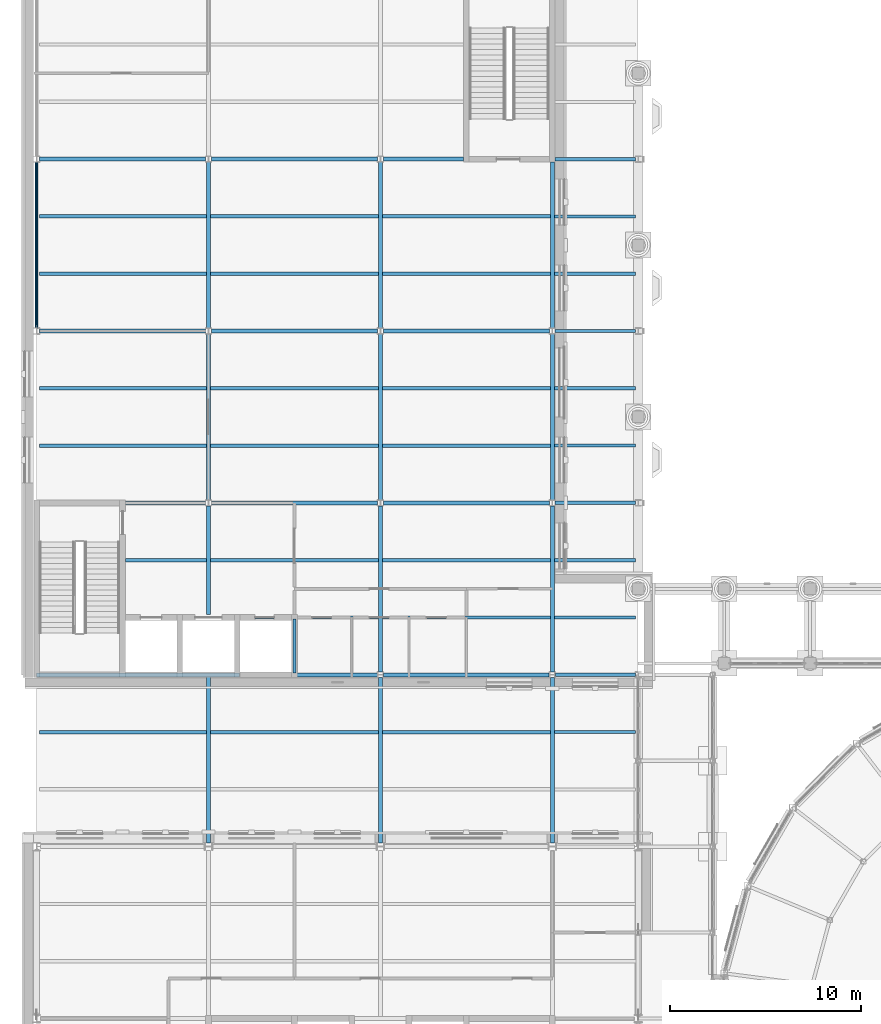
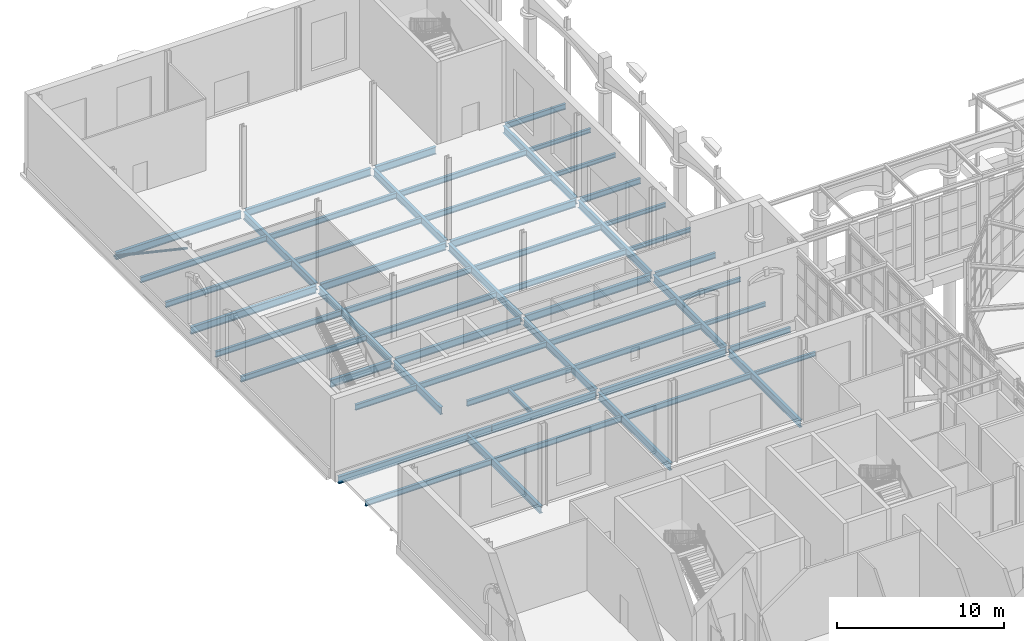
# One storey, part 32 of 106: 56 beams, 1 member.
"""IFC4 building model written with IfcOpenShell, lengths in metres."""

from ifc_helpers import new_model, si_unit, direction, frame, origin, origin_2d, place, context, subcontext, project, spatial, hollow_circle, i_section, extrude, material, material_profile, profile_set, type_object, element, save


model = new_model("IFC4")

# Units and contexts
model_context = context("Model", 3, precision=1e-05, world=origin(), true_north=direction((0.0, 1.0)))
body_context = subcontext(model_context, "Body", "Model", "MODEL_VIEW")
ifc_project = project(units=[si_unit("LENGTHUNIT", "METRE"), si_unit("AREAUNIT", "SQUARE_METRE"), si_unit("VOLUMEUNIT", "CUBIC_METRE"), si_unit("PLANEANGLEUNIT", "RADIAN"), si_unit("MASSUNIT", "GRAM", prefix="KILO")], contexts=[model_context])

# Site, building, storey
site_placement = place(None, origin())
site = spatial("IfcSite", under=ifc_project, at=site_placement, CompositionType="ELEMENT")
building_placement = place(site_placement, origin())
building = spatial("IfcBuilding", under=site, at=building_placement, Name="Hortulan Conservatory and Botanical Research Centre", CompositionType="ELEMENT")
storey_placement = place(building_placement, origin())
storey = spatial("IfcBuildingStorey", under=building, at=storey_placement, Name="L00", CompositionType="ELEMENT", Elevation=0.0)

# Member
ifc_material_1 = material(Name="Steel Grade C350L0 (350 MPa, AS/NZS 1163)", Category="steel")
ifc_material_profile_1 = material_profile(ifc_material_1, hollow_circle(Radius=0.084228515625, WallThickness=0.00634765625, at=origin_2d()), Name="168.3x6.4CHS")
ifc_profile_set_1 = profile_set([ifc_material_profile_1], Name="Steel Grade C350L0 (350 MPa, AS/NZS 1163)")
member_type = type_object("IfcMemberType", Name="Brace 168.3x6.4CHS", PredefinedType="BRACE", material=ifc_profile_set_1)
member_placement = place(storey_placement, frame((0.0, 62.839599609375, -0.342041015625), z_axis=(0.0, -0.829662167286, 0.558265786319), x_axis=(1.0, 0.0, 0.0)))
element("IfcMember", 1, at=member_placement, inside=storey, type_object=member_type, Name="168.3x6.4CHS brace", PredefinedType="BRACE", context=body_context, shape_type="SweptSolid", body=[
    extrude(hollow_circle(Radius=0.084228515625, WallThickness=0.00634765625, at=origin_2d()), origin(), (0.0, 0.0, 1.0), 10.461181640625),
])

# Beams
ifc_material_2 = material(Name="Steel Grade 300PLUS (AS/NZS 3679.1, 280 MPa minimum yield)", Category="steel")
ifc_material_profile_2 = material_profile(ifc_material_2, i_section(OverallWidth=0.177978515625, OverallDepth=0.403076171875, WebThickness=0.007568359375, FlangeThickness=0.010986328125, FilletRadius=0.011474609375, at=origin_2d()), Name="410UB53.7")
ifc_profile_set_2 = profile_set([ifc_material_profile_2], Name="Steel Grade 300PLUS (AS/NZS 3679.1, 280 MPa minimum yield)")
beam_type_1 = type_object("IfcBeamType", Name="Primary Beam 410UB53.7", PredefinedType="BEAM", material=ifc_profile_set_2)
beam_1_placement = place(storey_placement, frame((27.160400390625, 36.0, -0.401611328125), z_axis=(1.0, 0.0, 0.0), x_axis=(0.0, 1.0, 0.0)))
element("IfcBeam", 2, at=beam_1_placement, inside=storey, type_object=beam_type_1, Name="410UB53.7 girder", PredefinedType="BEAM", context=body_context, shape_type="SweptSolid", body=[
    extrude(i_section(OverallWidth=0.177978515625, OverallDepth=0.403076171875, WebThickness=0.007568359375, FlangeThickness=0.010986328125, FilletRadius=0.011474609375, at=origin_2d()), origin(), (0.0, 0.0, 1.0), 4.18505859375),
])
for number, where, z_axis, x_axis, name in (
    (3, (27.154541015625, 45.0, -0.401611328125), (1.0, 0.0, 0.0), (0.0, 1.0, 0.0), "410UB53.7 girder"),
    (4, (27.154541015625, 54.0, -0.401611328125), (1.0, 0.0, 0.0), (0.0, 1.0, 0.0), "410UB53.7 girder"),
):
    element("IfcBeam", number, at=place(storey_placement, frame(where, z_axis=z_axis, x_axis=x_axis)), inside=storey, type_object=beam_type_1, Name=name, PredefinedType="BEAM", context=body_context, shape_type="SweptSolid", body=[
        extrude(i_section(OverallWidth=0.177978515625, OverallDepth=0.403076171875, WebThickness=0.007568359375, FlangeThickness=0.010986328125, FilletRadius=0.011474609375, at=origin_2d()), origin(), (0.0, 0.0, 1.0), 4.19091796875),
    ])
beam_2_placement = place(storey_placement, frame((27.14990234375, 63.0, -0.401611328125), z_axis=(1.0, 0.0, 0.0), x_axis=(0.0, 1.0, 0.0)))
element("IfcBeam", 5, at=beam_2_placement, inside=storey, type_object=beam_type_1, Name="410UB53.7 girder", PredefinedType="BEAM", context=body_context, shape_type="SweptSolid", body=[
    extrude(i_section(OverallWidth=0.177978515625, OverallDepth=0.403076171875, WebThickness=0.007568359375, FlangeThickness=0.010986328125, FilletRadius=0.011474609375, at=origin_2d()), origin(), (0.0, 0.0, 1.0), 4.195556640625),
])
ifc_material_profile_3 = material_profile(ifc_material_2, i_section(OverallWidth=0.208984375, OverallDepth=0.528076171875, WebThickness=0.009521484375, FlangeThickness=0.01318359375, FilletRadius=0.013916015625, at=origin_2d()), Name="530UB82.0")
ifc_profile_set_3 = profile_set([ifc_material_profile_3], Name="Steel Grade 300PLUS (AS/NZS 3679.1, 280 MPa minimum yield)")
beam_type_2 = type_object("IfcBeamType", Name="Primary Beam 530UB82.0", PredefinedType="BEAM", material=ifc_profile_set_3)
beam_3_placement = place(storey_placement, frame((10.64990234375, 36.0, -0.464111328125), z_axis=(1.0, 0.0, 0.0), x_axis=(0.0, 1.0, 0.0)))
element("IfcBeam", 6, at=beam_3_placement, inside=storey, type_object=beam_type_2, Name="530UB82.0 girder", PredefinedType="BEAM", context=body_context, shape_type="SweptSolid", body=[
    extrude(i_section(OverallWidth=0.208984375, OverallDepth=0.528076171875, WebThickness=0.009521484375, FlangeThickness=0.01318359375, FilletRadius=0.013916015625, at=origin_2d()), origin(), (0.0, 0.0, 1.0), 7.189697265625),
])
beam_4_placement = place(storey_placement, frame((18.160400390625, 36.0, -0.464111328125), z_axis=(1.0, 0.0, 0.0), x_axis=(0.0, 1.0, 0.0)))
element("IfcBeam", 7, at=beam_4_placement, inside=storey, type_object=beam_type_2, Name="530UB82.0 girder", PredefinedType="BEAM", context=body_context, shape_type="SweptSolid", body=[
    extrude(i_section(OverallWidth=0.208984375, OverallDepth=0.528076171875, WebThickness=0.009521484375, FlangeThickness=0.01318359375, FilletRadius=0.013916015625, at=origin_2d()), origin(), (0.0, 0.0, 1.0), 8.67919921875),
])
beam_5_placement = place(storey_placement, frame((0.0, 36.0, -0.464111328125), z_axis=(1.0, 0.0, 0.0), x_axis=(0.0, 1.0, 0.0)))
element("IfcBeam", 8, at=beam_5_placement, inside=storey, type_object=beam_type_2, Name="530UB82.0 girder", PredefinedType="BEAM", context=body_context, shape_type="SweptSolid", body=[
    extrude(i_section(OverallWidth=0.208984375, OverallDepth=0.528076171875, WebThickness=0.009521484375, FlangeThickness=0.01318359375, FilletRadius=0.013916015625, at=origin_2d()), origin(), (0.0, 0.0, 1.0), 10.6298828125),
])
ifc_material_profile_4 = material_profile(ifc_material_2, i_section(OverallWidth=0.208984375, OverallDepth=0.532958984375, WebThickness=0.01025390625, FlangeThickness=0.015625, FilletRadius=0.013916015625, at=origin_2d()), Name="530UB92.4")
ifc_profile_set_4 = profile_set([ifc_material_profile_4], Name="Steel Grade 300PLUS (AS/NZS 3679.1, 280 MPa minimum yield)")
beam_type_3 = type_object("IfcBeamType", Name="Primary Beam 530UB92.4", PredefinedType="BEAM", material=ifc_profile_set_4)
for number, where, z_axis, x_axis, name in (
    (9, (0.154541015625, 54.0, -0.466552734375), (1.0, 0.0, 0.0), (0.0, 1.0, 0.0), "530UB92.4 girder"),
    (10, (0.154541015625, 63.0, -0.466552734375), (1.0, 0.0, 0.0), (0.0, 1.0, 0.0), "530UB92.4 girder"),
):
    element("IfcBeam", number, at=place(storey_placement, frame(where, z_axis=z_axis, x_axis=x_axis)), inside=storey, type_object=beam_type_3, Name=name, PredefinedType="BEAM", context=body_context, shape_type="SweptSolid", body=[
        extrude(i_section(OverallWidth=0.208984375, OverallDepth=0.532958984375, WebThickness=0.01025390625, FlangeThickness=0.015625, FilletRadius=0.013916015625, at=origin_2d()), origin(), (0.0, 0.0, 1.0), 8.69091796875),
    ])
beam_6_placement = place(storey_placement, frame((4.64990234375, 45.0, -0.466552734375), z_axis=(1.0, 0.0, 0.0), x_axis=(0.0, 1.0, 0.0)))
element("IfcBeam", 11, at=beam_6_placement, inside=storey, type_object=beam_type_3, Name="530UB92.4 girder", PredefinedType="BEAM", context=body_context, shape_type="SweptSolid", body=[
    extrude(i_section(OverallWidth=0.208984375, OverallDepth=0.532958984375, WebThickness=0.01025390625, FlangeThickness=0.015625, FilletRadius=0.013916015625, at=origin_2d()), origin(), (0.0, 0.0, 1.0), 4.195556640625),
])
beam_7_placement = place(storey_placement, frame((9.0, 39.14990234375, -0.466552734375), z_axis=(0.0, 1.0, 0.0), x_axis=(-1.0, 0.0, 0.0)))
element("IfcBeam", 12, at=beam_7_placement, inside=storey, type_object=beam_type_3, Name="530UB92.4 girder", PredefinedType="BEAM", context=body_context, shape_type="SweptSolid", body=[
    extrude(i_section(OverallWidth=0.208984375, OverallDepth=0.532958984375, WebThickness=0.01025390625, FlangeThickness=0.015625, FilletRadius=0.013916015625, at=origin_2d()), origin(), (0.0, 0.0, 1.0), 5.689697265625),
])
beam_8_placement = place(storey_placement, frame((9.0, 45.160400390625, -0.466552734375), z_axis=(0.0, 1.0, 0.0), x_axis=(-1.0, 0.0, 0.0)))
element("IfcBeam", 13, at=beam_8_placement, inside=storey, type_object=beam_type_3, Name="530UB92.4 girder", PredefinedType="BEAM", context=body_context, shape_type="SweptSolid", body=[
    extrude(i_section(OverallWidth=0.208984375, OverallDepth=0.532958984375, WebThickness=0.01025390625, FlangeThickness=0.015625, FilletRadius=0.013916015625, at=origin_2d()), origin(), (0.0, 0.0, 1.0), 8.67919921875),
])
beam_9_placement = place(storey_placement, frame((9.154541015625, 45.0, -0.466552734375), z_axis=(1.0, 0.0, 0.0), x_axis=(0.0, 1.0, 0.0)))
element("IfcBeam", 14, at=beam_9_placement, inside=storey, type_object=beam_type_3, Name="530UB92.4 girder", PredefinedType="BEAM", context=body_context, shape_type="SweptSolid", body=[
    extrude(i_section(OverallWidth=0.208984375, OverallDepth=0.532958984375, WebThickness=0.01025390625, FlangeThickness=0.015625, FilletRadius=0.013916015625, at=origin_2d()), origin(), (0.0, 0.0, 1.0), 8.69091796875),
])
beam_10_placement = place(storey_placement, frame((9.0, 54.160400390625, -0.466552734375), z_axis=(0.0, 1.0, 0.0), x_axis=(-1.0, 0.0, 0.0)))
element("IfcBeam", 15, at=beam_10_placement, inside=storey, type_object=beam_type_3, Name="530UB92.4 girder", PredefinedType="BEAM", context=body_context, shape_type="SweptSolid", body=[
    extrude(i_section(OverallWidth=0.208984375, OverallDepth=0.532958984375, WebThickness=0.01025390625, FlangeThickness=0.015625, FilletRadius=0.013916015625, at=origin_2d()), origin(), (0.0, 0.0, 1.0), 8.67919921875),
])
for number, where, z_axis, x_axis, name in (
    (16, (9.154541015625, 54.0, -0.466552734375), (1.0, 0.0, 0.0), (0.0, 1.0, 0.0), "530UB92.4 girder"),
    (17, (9.154541015625, 63.0, -0.466552734375), (1.0, 0.0, 0.0), (0.0, 1.0, 0.0), "530UB92.4 girder"),
):
    element("IfcBeam", number, at=place(storey_placement, frame(where, z_axis=z_axis, x_axis=x_axis)), inside=storey, type_object=beam_type_3, Name=name, PredefinedType="BEAM", context=body_context, shape_type="SweptSolid", body=[
        extrude(i_section(OverallWidth=0.208984375, OverallDepth=0.532958984375, WebThickness=0.01025390625, FlangeThickness=0.015625, FilletRadius=0.013916015625, at=origin_2d()), origin(), (0.0, 0.0, 1.0), 8.69091796875),
    ])
beam_11_placement = place(storey_placement, frame((18.0, 36.154541015625, -0.466552734375), z_axis=(0.0, 1.0, 0.0), x_axis=(-1.0, 0.0, 0.0)))
element("IfcBeam", 18, at=beam_11_placement, inside=storey, type_object=beam_type_3, Name="530UB92.4 girder", PredefinedType="BEAM", context=body_context, shape_type="SweptSolid", body=[
    extrude(i_section(OverallWidth=0.208984375, OverallDepth=0.532958984375, WebThickness=0.01025390625, FlangeThickness=0.015625, FilletRadius=0.013916015625, at=origin_2d()), origin(), (0.0, 0.0, 1.0), 8.68505859375),
])
beam_12_placement = place(storey_placement, frame((18.0, 45.160400390625, -0.466552734375), z_axis=(0.0, 1.0, 0.0), x_axis=(-1.0, 0.0, 0.0)))
element("IfcBeam", 19, at=beam_12_placement, inside=storey, type_object=beam_type_3, Name="530UB92.4 girder", PredefinedType="BEAM", context=body_context, shape_type="SweptSolid", body=[
    extrude(i_section(OverallWidth=0.208984375, OverallDepth=0.532958984375, WebThickness=0.01025390625, FlangeThickness=0.015625, FilletRadius=0.013916015625, at=origin_2d()), origin(), (0.0, 0.0, 1.0), 8.67919921875),
])
beam_13_placement = place(storey_placement, frame((18.154541015625, 45.0, -0.466552734375), z_axis=(1.0, 0.0, 0.0), x_axis=(0.0, 1.0, 0.0)))
element("IfcBeam", 20, at=beam_13_placement, inside=storey, type_object=beam_type_3, Name="530UB92.4 girder", PredefinedType="BEAM", context=body_context, shape_type="SweptSolid", body=[
    extrude(i_section(OverallWidth=0.208984375, OverallDepth=0.532958984375, WebThickness=0.01025390625, FlangeThickness=0.015625, FilletRadius=0.013916015625, at=origin_2d()), origin(), (0.0, 0.0, 1.0), 8.69091796875),
])
beam_14_placement = place(storey_placement, frame((18.0, 54.160400390625, -0.466552734375), z_axis=(0.0, 1.0, 0.0), x_axis=(-1.0, 0.0, 0.0)))
element("IfcBeam", 21, at=beam_14_placement, inside=storey, type_object=beam_type_3, Name="530UB92.4 girder", PredefinedType="BEAM", context=body_context, shape_type="SweptSolid", body=[
    extrude(i_section(OverallWidth=0.208984375, OverallDepth=0.532958984375, WebThickness=0.01025390625, FlangeThickness=0.015625, FilletRadius=0.013916015625, at=origin_2d()), origin(), (0.0, 0.0, 1.0), 8.67919921875),
])
beam_15_placement = place(storey_placement, frame((18.154541015625, 54.0, -0.466552734375), z_axis=(1.0, 0.0, 0.0), x_axis=(0.0, 1.0, 0.0)))
element("IfcBeam", 22, at=beam_15_placement, inside=storey, type_object=beam_type_3, Name="530UB92.4 girder", PredefinedType="BEAM", context=body_context, shape_type="SweptSolid", body=[
    extrude(i_section(OverallWidth=0.208984375, OverallDepth=0.532958984375, WebThickness=0.01025390625, FlangeThickness=0.015625, FilletRadius=0.013916015625, at=origin_2d()), origin(), (0.0, 0.0, 1.0), 8.69091796875),
])
beam_16_placement = place(storey_placement, frame((18.154541015625, 63.0, -0.466552734375), z_axis=(1.0, 0.0, 0.0), x_axis=(0.0, 1.0, 0.0)))
element("IfcBeam", 23, at=beam_16_placement, inside=storey, type_object=beam_type_3, Name="530UB92.4 girder", PredefinedType="BEAM", context=body_context, shape_type="SweptSolid", body=[
    extrude(i_section(OverallWidth=0.208984375, OverallDepth=0.532958984375, WebThickness=0.01025390625, FlangeThickness=0.015625, FilletRadius=0.013916015625, at=origin_2d()), origin(), (0.0, 0.0, 1.0), 4.195556640625),
])
beam_17_placement = place(storey_placement, frame((27.0, 36.154541015625, -0.466552734375), z_axis=(0.0, 1.0, 0.0), x_axis=(-1.0, 0.0, 0.0)))
element("IfcBeam", 24, at=beam_17_placement, inside=storey, type_object=beam_type_3, Name="530UB92.4 girder", PredefinedType="BEAM", context=body_context, shape_type="SweptSolid", body=[
    extrude(i_section(OverallWidth=0.208984375, OverallDepth=0.532958984375, WebThickness=0.01025390625, FlangeThickness=0.015625, FilletRadius=0.013916015625, at=origin_2d()), origin(), (0.0, 0.0, 1.0), 8.68505859375),
])
beam_18_placement = place(storey_placement, frame((27.0, 45.160400390625, -0.466552734375), z_axis=(0.0, 1.0, 0.0), x_axis=(-1.0, 0.0, 0.0)))
element("IfcBeam", 25, at=beam_18_placement, inside=storey, type_object=beam_type_3, Name="530UB92.4 girder", PredefinedType="BEAM", context=body_context, shape_type="SweptSolid", body=[
    extrude(i_section(OverallWidth=0.208984375, OverallDepth=0.532958984375, WebThickness=0.01025390625, FlangeThickness=0.015625, FilletRadius=0.013916015625, at=origin_2d()), origin(), (0.0, 0.0, 1.0), 8.67919921875),
])
beam_19_placement = place(storey_placement, frame((27.0, 54.160400390625, -0.466552734375), z_axis=(0.0, 1.0, 0.0), x_axis=(-1.0, 0.0, 0.0)))
element("IfcBeam", 26, at=beam_19_placement, inside=storey, type_object=beam_type_3, Name="530UB92.4 girder", PredefinedType="BEAM", context=body_context, shape_type="SweptSolid", body=[
    extrude(i_section(OverallWidth=0.208984375, OverallDepth=0.532958984375, WebThickness=0.01025390625, FlangeThickness=0.015625, FilletRadius=0.013916015625, at=origin_2d()), origin(), (0.0, 0.0, 1.0), 8.689697265625),
])
beam_20_placement = place(storey_placement, frame((9.0, 27.199951171875, -0.466552734375), z_axis=(0.0, 1.0, 0.0), x_axis=(-1.0, 0.0, 0.0)))
element("IfcBeam", 27, at=beam_20_placement, inside=storey, type_object=beam_type_3, Name="530UB92.4 girder", PredefinedType="BEAM", context=body_context, shape_type="SweptSolid", body=[
    extrude(i_section(OverallWidth=0.208984375, OverallDepth=0.532958984375, WebThickness=0.01025390625, FlangeThickness=0.015625, FilletRadius=0.013916015625, at=origin_2d()), origin(), (0.0, 0.0, 1.0), 8.800048828125),
])
for number, where, z_axis, x_axis, name in (
    (28, (18.0, 27.199951171875, -0.466552734375), (0.0, 1.0, 0.0), (-1.0, 0.0, 0.0), "530UB92.4 girder"),
    (29, (27.0, 27.199951171875, -0.466552734375), (0.0, 1.0, 0.0), (-1.0, 0.0, 0.0), "530UB92.4 girder"),
):
    element("IfcBeam", number, at=place(storey_placement, frame(where, z_axis=z_axis, x_axis=x_axis)), inside=storey, type_object=beam_type_3, Name=name, PredefinedType="BEAM", context=body_context, shape_type="SweptSolid", body=[
        extrude(i_section(OverallWidth=0.208984375, OverallDepth=0.532958984375, WebThickness=0.01025390625, FlangeThickness=0.015625, FilletRadius=0.013916015625, at=origin_2d()), origin(), (0.0, 0.0, 1.0), 8.6455078125),
    ])
ifc_material_profile_5 = material_profile(ifc_material_2, i_section(OverallWidth=0.1650390625, OverallDepth=0.303955078125, WebThickness=0.006103515625, FlangeThickness=0.01025390625, FilletRadius=0.011474609375, at=origin_2d()), Name="310UB40.4")
ifc_profile_set_5 = profile_set([ifc_material_profile_5], Name="Steel Grade 300PLUS (AS/NZS 3679.1, 280 MPa minimum yield)")
beam_type_4 = type_object("IfcBeamType", Name="Secondary Beam 310UB40.4", PredefinedType="JOIST", material=ifc_profile_set_5)
for number, where, z_axis, x_axis, name in (
    (30, (27.1044921875, 39.0, -0.35205078125), (1.0, 0.0, 0.0), (0.0, 1.0, 0.0), "310UB40.4 secondary beam"),
    (31, (27.1044921875, 42.0, -0.35205078125), (1.0, 0.0, 0.0), (0.0, 1.0, 0.0), "310UB40.4 secondary beam"),
    (32, (27.1044921875, 48.0, -0.35205078125), (1.0, 0.0, 0.0), (0.0, 1.0, 0.0), "310UB40.4 secondary beam"),
    (33, (27.1044921875, 51.0, -0.35205078125), (1.0, 0.0, 0.0), (0.0, 1.0, 0.0), "310UB40.4 secondary beam"),
    (34, (27.1044921875, 57.0, -0.35205078125), (1.0, 0.0, 0.0), (0.0, 1.0, 0.0), "310UB40.4 secondary beam"),
    (35, (27.1044921875, 60.0, -0.35205078125), (1.0, 0.0, 0.0), (0.0, 1.0, 0.0), "310UB40.4 secondary beam"),
):
    element("IfcBeam", number, at=place(storey_placement, frame(where, z_axis=z_axis, x_axis=x_axis)), inside=storey, type_object=beam_type_4, Name=name, PredefinedType="JOIST", context=body_context, shape_type="SweptSolid", body=[
        extrude(i_section(OverallWidth=0.1650390625, OverallDepth=0.303955078125, WebThickness=0.006103515625, FlangeThickness=0.01025390625, FilletRadius=0.011474609375, at=origin_2d()), origin(), (0.0, 0.0, 1.0), 4.24560546875),
    ])
beam_21_placement = place(storey_placement, frame((13.5, 36.1044921875, -0.35205078125), z_axis=(0.0, 1.0, 0.0), x_axis=(-1.0, 0.0, 0.0)))
element("IfcBeam", 36, at=beam_21_placement, inside=storey, type_object=beam_type_4, Name="310UB40.4 secondary beam", PredefinedType="JOIST", context=body_context, shape_type="SweptSolid", body=[
    extrude(i_section(OverallWidth=0.1650390625, OverallDepth=0.303955078125, WebThickness=0.006103515625, FlangeThickness=0.01025390625, FilletRadius=0.011474609375, at=origin_2d()), origin(), (0.0, 0.0, 1.0), 2.806396484375),
])
beam_22_placement = place(storey_placement, frame((27.1044921875, 33.0, -0.35205078125), z_axis=(1.0, 0.0, 0.0), x_axis=(0.0, 1.0, 0.0)))
element("IfcBeam", 37, at=beam_22_placement, inside=storey, type_object=beam_type_4, Name="310UB40.4 secondary beam", PredefinedType="JOIST", context=body_context, shape_type="SweptSolid", body=[
    extrude(i_section(OverallWidth=0.1650390625, OverallDepth=0.303955078125, WebThickness=0.006103515625, FlangeThickness=0.01025390625, FilletRadius=0.011474609375, at=origin_2d()), origin(), (0.0, 0.0, 1.0), 4.24560546875),
])
ifc_material_profile_6 = material_profile(ifc_material_2, i_section(OverallWidth=0.177978515625, OverallDepth=0.406005859375, WebThickness=0.0078125, FlangeThickness=0.0126953125, FilletRadius=0.011474609375, at=origin_2d()), Name="410UB59.7")
ifc_profile_set_6 = profile_set([ifc_material_profile_6], Name="Steel Grade 300PLUS (AS/NZS 3679.1, 280 MPa minimum yield)")
beam_type_5 = type_object("IfcBeamType", Name="Secondary Beam 410UB59.7", PredefinedType="JOIST", material=ifc_profile_set_6)
beam_23_placement = place(storey_placement, frame((4.64990234375, 42.0, -0.403076171875), z_axis=(1.0, 0.0, 0.0), x_axis=(0.0, 1.0, 0.0)))
element("IfcBeam", 38, at=beam_23_placement, inside=storey, type_object=beam_type_5, Name="410UB59.7 secondary beam", PredefinedType="JOIST", context=body_context, shape_type="SweptSolid", body=[
    extrude(i_section(OverallWidth=0.177978515625, OverallDepth=0.406005859375, WebThickness=0.0078125, FlangeThickness=0.0126953125, FilletRadius=0.011474609375, at=origin_2d()), origin(), (0.0, 0.0, 1.0), 4.24560546875),
])
for number, where, z_axis, x_axis, name in (
    (39, (0.14990234375, 48.0, -0.403076171875), (1.0, 0.0, 0.0), (0.0, 1.0, 0.0), "410UB59.7 secondary beam"),
    (40, (0.14990234375, 51.0, -0.403076171875), (1.0, 0.0, 0.0), (0.0, 1.0, 0.0), "410UB59.7 secondary beam"),
    (41, (0.14990234375, 57.0, -0.403076171875), (1.0, 0.0, 0.0), (0.0, 1.0, 0.0), "410UB59.7 secondary beam"),
    (42, (0.14990234375, 60.0, -0.403076171875), (1.0, 0.0, 0.0), (0.0, 1.0, 0.0), "410UB59.7 secondary beam"),
):
    element("IfcBeam", number, at=place(storey_placement, frame(where, z_axis=z_axis, x_axis=x_axis)), inside=storey, type_object=beam_type_5, Name=name, PredefinedType="JOIST", context=body_context, shape_type="SweptSolid", body=[
        extrude(i_section(OverallWidth=0.177978515625, OverallDepth=0.406005859375, WebThickness=0.0078125, FlangeThickness=0.0126953125, FilletRadius=0.011474609375, at=origin_2d()), origin(), (0.0, 0.0, 1.0), 8.74560546875),
    ])
beam_24_placement = place(storey_placement, frame((10.64990234375, 39.0, -0.403076171875), z_axis=(1.0, 0.0, 0.0), x_axis=(0.0, 1.0, 0.0)))
element("IfcBeam", 43, at=beam_24_placement, inside=storey, type_object=beam_type_5, Name="410UB59.7 secondary beam", PredefinedType="JOIST", context=body_context, shape_type="SweptSolid", body=[
    extrude(i_section(OverallWidth=0.177978515625, OverallDepth=0.406005859375, WebThickness=0.0078125, FlangeThickness=0.0126953125, FilletRadius=0.011474609375, at=origin_2d()), origin(), (0.0, 0.0, 1.0), 7.24560546875),
])
for number, where, z_axis, x_axis, name in (
    (44, (9.1044921875, 42.0, -0.403076171875), (1.0, 0.0, 0.0), (0.0, 1.0, 0.0), "410UB59.7 secondary beam"),
    (45, (9.1044921875, 48.0, -0.403076171875), (1.0, 0.0, 0.0), (0.0, 1.0, 0.0), "410UB59.7 secondary beam"),
    (46, (9.1044921875, 51.0, -0.403076171875), (1.0, 0.0, 0.0), (0.0, 1.0, 0.0), "410UB59.7 secondary beam"),
    (47, (9.1044921875, 57.0, -0.403076171875), (1.0, 0.0, 0.0), (0.0, 1.0, 0.0), "410UB59.7 secondary beam"),
    (48, (9.1044921875, 60.0, -0.403076171875), (1.0, 0.0, 0.0), (0.0, 1.0, 0.0), "410UB59.7 secondary beam"),
    (49, (18.1044921875, 39.0, -0.403076171875), (1.0, 0.0, 0.0), (0.0, 1.0, 0.0), "410UB59.7 secondary beam"),
    (50, (18.1044921875, 42.0, -0.403076171875), (1.0, 0.0, 0.0), (0.0, 1.0, 0.0), "410UB59.7 secondary beam"),
    (51, (18.1044921875, 48.0, -0.403076171875), (1.0, 0.0, 0.0), (0.0, 1.0, 0.0), "410UB59.7 secondary beam"),
    (52, (18.1044921875, 51.0, -0.403076171875), (1.0, 0.0, 0.0), (0.0, 1.0, 0.0), "410UB59.7 secondary beam"),
    (53, (18.1044921875, 57.0, -0.403076171875), (1.0, 0.0, 0.0), (0.0, 1.0, 0.0), "410UB59.7 secondary beam"),
    (54, (18.1044921875, 60.0, -0.403076171875), (1.0, 0.0, 0.0), (0.0, 1.0, 0.0), "410UB59.7 secondary beam"),
):
    element("IfcBeam", number, at=place(storey_placement, frame(where, z_axis=z_axis, x_axis=x_axis)), inside=storey, type_object=beam_type_5, Name=name, PredefinedType="JOIST", context=body_context, shape_type="SweptSolid", body=[
        extrude(i_section(OverallWidth=0.177978515625, OverallDepth=0.406005859375, WebThickness=0.0078125, FlangeThickness=0.0126953125, FilletRadius=0.011474609375, at=origin_2d()), origin(), (0.0, 0.0, 1.0), 8.791015625),
    ])
beam_25_placement = place(storey_placement, frame((0.14990234375, 33.0, -0.403076171875), z_axis=(1.0, 0.0, 0.0), x_axis=(0.0, 1.0, 0.0)))
element("IfcBeam", 55, at=beam_25_placement, inside=storey, type_object=beam_type_5, Name="410UB59.7 secondary beam", PredefinedType="JOIST", context=body_context, shape_type="SweptSolid", body=[
    extrude(i_section(OverallWidth=0.177978515625, OverallDepth=0.406005859375, WebThickness=0.0078125, FlangeThickness=0.0126953125, FilletRadius=0.011474609375, at=origin_2d()), origin(), (0.0, 0.0, 1.0), 8.74560546875),
])
for number, where, z_axis, x_axis, name in (
    (56, (9.1044921875, 33.0, -0.403076171875), (1.0, 0.0, 0.0), (0.0, 1.0, 0.0), "410UB59.7 secondary beam"),
    (57, (18.1044921875, 33.0, -0.403076171875), (1.0, 0.0, 0.0), (0.0, 1.0, 0.0), "410UB59.7 secondary beam"),
):
    element("IfcBeam", number, at=place(storey_placement, frame(where, z_axis=z_axis, x_axis=x_axis)), inside=storey, type_object=beam_type_5, Name=name, PredefinedType="JOIST", context=body_context, shape_type="SweptSolid", body=[
        extrude(i_section(OverallWidth=0.177978515625, OverallDepth=0.406005859375, WebThickness=0.0078125, FlangeThickness=0.0126953125, FilletRadius=0.011474609375, at=origin_2d()), origin(), (0.0, 0.0, 1.0), 8.791015625),
    ])

save(model, "model.ifc")
